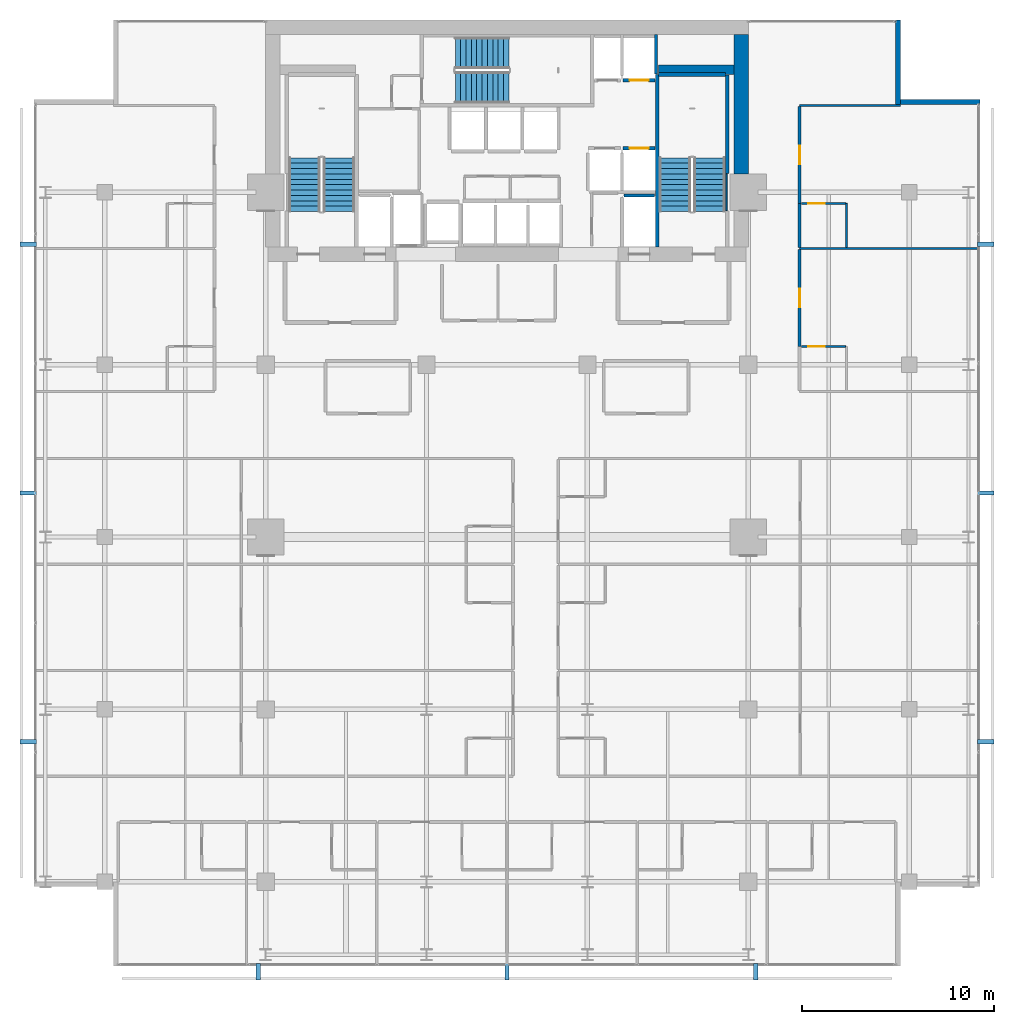
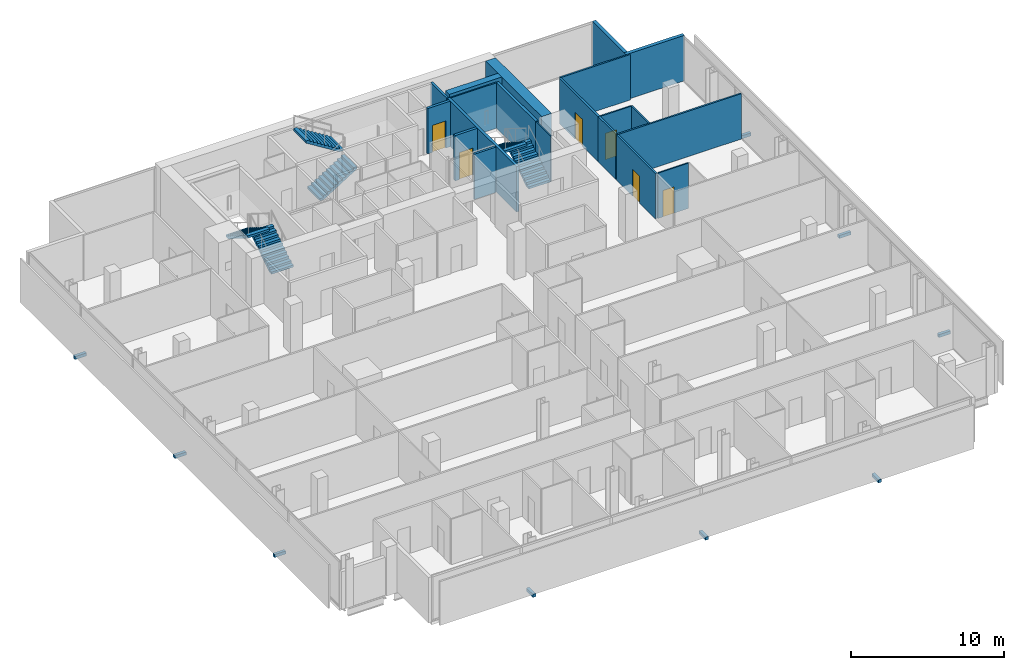
# One storey, part 31 of 33: 20 walls, 9 discrete accessories, 6 doors, 6 stair flights, 6 openings, 3 elements without a shape of their own.
"""IFC4 building model written with IfcOpenShell, lengths in metres."""

from ifc_helpers import new_model, si_unit, direction, frame, frame_2d, origin, origin_2d, place, context, subcontext, project, spatial, polyline, rectangle, outline, extrude, material, layer, layer_set, type_object, element, fill, aggregate, save


model = new_model("IFC4")

# Units and contexts
model_context = context("Model", 3, precision=1e-05, world=origin(), true_north=direction((0.0, 1.0)))
body_context = subcontext(model_context, "Body", "Model", "MODEL_VIEW")
ifc_project = project(units=[si_unit("LENGTHUNIT", "METRE"), si_unit("AREAUNIT", "SQUARE_METRE"), si_unit("VOLUMEUNIT", "CUBIC_METRE"), si_unit("PLANEANGLEUNIT", "RADIAN"), si_unit("MASSUNIT", "GRAM", prefix="KILO")], contexts=[model_context])

# Site, building, storey
site_placement = place(None, origin())
site = spatial("IfcSite", under=ifc_project, at=site_placement, CompositionType="ELEMENT")
building_placement = place(site_placement, origin())
building = spatial("IfcBuilding", under=site, at=building_placement, Name="Maruvema Waterfront Hotel and Observation Tower", CompositionType="ELEMENT")
storey_placement = place(building_placement, frame((0.0, 0.0, 158.199951171875)))
storey = spatial("IfcBuildingStorey", under=building, at=storey_placement, Name="L38", CompositionType="ELEMENT", Elevation=158.199951171875)

# Wall, opening, door
ifc_material_1 = material(Name="Twin-stud acoustic gypsum drywall", Category="gypsum")
ifc_layer_1 = layer(ifc_material_1, 0.14990234375, Name="Acoustic Corridor and Suite Demising Wall 150 mm")
ifc_layer_set_1 = layer_set([ifc_layer_1], Name="Twin-stud acoustic gypsum drywall")
wall_type_1 = type_object("IfcWallType", Name="Acoustic Corridor and Suite Demising Wall 150 mm", PredefinedType="PARTITIONING", material=ifc_layer_set_1)
wall_1_placement = place(storey_placement, frame((53.080078125, 36.949951171875, 0.0), z_axis=(0.0, 0.0, 1.0), x_axis=(0.0, 1.0, 0.0)))
wall_1 = element("IfcWall", 1, at=wall_1_placement, inside=storey, type_object=wall_type_1, Name="L38 Room L38-NE1 Corridor Wall 113", PredefinedType="PARTITIONING", context=body_context, shape_type="SweptSolid", body=[
    extrude(rectangle(XDim=5.058837890625, YDim=0.14990234375, at=frame_2d((2.529296875, 0.0))), origin(), (0.0, 0.0, 1.0), 3.610107421875),
])
opening_1_placement = place(wall_1_placement, frame((2.054443359375, 0.0, 0.0)))
opening_1 = element("IfcOpeningElement", 2, at=opening_1_placement, cuts=wall_1, Name="Opening DR-095", PredefinedType="OPENING", context=body_context, shape_type="SweptSolid", body=[
    extrude(rectangle(XDim=0.949951171875, YDim=2.14990234375, at=frame_2d((0.47509765625, 1.074951171875))), frame((0.0, 0.0849609375, 0.0), z_axis=(0.0, -1.0, 0.0), x_axis=(1.0, 0.0, 0.0)), (0.0, 0.0, 1.0), 0.169921875),
])
ifc_material_2 = material(Name="Acoustic solid-core hardwood timber leaf", Category="wood")
door_type_1 = type_object("IfcDoorType", Name="Guestroom Entrance Fire Door 950x2150 mm", OperationType="NOTDEFINED", PredefinedType="DOOR", material=ifc_material_2)
door_1_placement = place(opening_1_placement, frame((0.949951171875, 0.0, 0.0), z_axis=(0.0, 0.0, 1.0), x_axis=(-1.0, 0.0, 0.0)))
door_1 = element("IfcDoor", 3, at=door_1_placement, inside=storey, type_object=door_type_1, Name="L38 Room L38-NE1 Entrance Door", OperationType="SINGLE_SWING_RIGHT", OverallHeight=2.14990234375, OverallWidth=0.949951171875, PredefinedType="DOOR", context=body_context, shape_type="SweptSolid", body=[
    extrude(rectangle(XDim=0.949951171875, YDim=2.14990234375, at=frame_2d((0.47509765625, 1.074951171875))), frame((0.0, 0.02490234375, 0.0), z_axis=(0.0, -1.0, 0.0), x_axis=(1.0, 0.0, 0.0)), (0.0, 0.0, 1.0), 0.050048828125),
])
fill(opening_1, door_1)

# Wall
wall_2_placement = place(storey_placement, frame((53.080078125, 42.12890625, 0.0), z_axis=(0.0, 0.0, 1.0), x_axis=(0.0, 1.0, 0.0)))
element("IfcWall", 4, at=wall_2_placement, inside=storey, type_object=wall_type_1, Name="L38 Bath L38-NE2 Wall 122", PredefinedType="PARTITIONING", context=body_context, shape_type="SweptSolid", body=[
    extrude(rectangle(XDim=2.289794921875, YDim=0.14990234375, at=frame_2d((1.14501953125, 0.0))), origin(), (0.0, 0.0, 1.0), 3.610107421875),
])

# Wall, opening, door
wall_3_placement = place(storey_placement, frame((53.080078125, 44.418701171875, 0.0), z_axis=(0.0, 0.0, 1.0), x_axis=(0.0, 1.0, 0.0)))
wall_3 = element("IfcWall", 5, at=wall_3_placement, inside=storey, type_object=wall_type_1, Name="L38 Room L38-NE2 Corridor Wall 123", PredefinedType="PARTITIONING", context=body_context, shape_type="SweptSolid", body=[
    extrude(rectangle(XDim=5.058837890625, YDim=0.14990234375, at=frame_2d((2.529296875, 0.0))), origin(), (0.0, 0.0, 1.0), 3.610107421875),
])
opening_2_placement = place(wall_3_placement, frame((2.054443359375, 0.0, 0.0)))
opening_2 = element("IfcOpeningElement", 6, at=opening_2_placement, cuts=wall_3, Name="Opening DR-095", PredefinedType="OPENING", context=body_context, shape_type="SweptSolid", body=[
    extrude(rectangle(XDim=0.949951171875, YDim=2.14990234375, at=frame_2d((0.47509765625, 1.074951171875))), frame((0.0, 0.0849609375, 0.0), z_axis=(0.0, -1.0, 0.0), x_axis=(1.0, 0.0, 0.0)), (0.0, 0.0, 1.0), 0.169921875),
])
door_2_placement = place(opening_2_placement, frame((0.949951171875, 0.0, 0.0), z_axis=(0.0, 0.0, 1.0), x_axis=(-1.0, 0.0, 0.0)))
door_2 = element("IfcDoor", 7, at=door_2_placement, inside=storey, type_object=door_type_1, Name="L38 Room L38-NE2 Entrance Door", OperationType="SINGLE_SWING_RIGHT", OverallHeight=2.14990234375, OverallWidth=0.949951171875, PredefinedType="DOOR", context=body_context, shape_type="SweptSolid", body=[
    extrude(rectangle(XDim=0.949951171875, YDim=2.14990234375, at=frame_2d((0.47509765625, 1.074951171875))), frame((0.0, 0.02490234375, 0.0), z_axis=(0.0, -1.0, 0.0), x_axis=(1.0, 0.0, 0.0)), (0.0, 0.0, 1.0), 0.050048828125),
])
fill(opening_2, door_2)

# Walls
ifc_material_3 = material(Name="Precast concrete C45/55", Category="concrete")
ifc_layer_2 = layer(ifc_material_3, 0.199951171875, Name="Core Shaft and Stairwell Enclosure Wall 200 mm")
ifc_layer_set_2 = layer_set([ifc_layer_2], Name="Precast concrete C45/55")
wall_type_2 = type_object("IfcWallType", Name="Core Shaft and Stairwell Enclosure Wall 200 mm", PredefinedType="SOLIDWALL", material=ifc_layer_set_2)
wall_4_placement = place(storey_placement, frame((45.64990234375, 42.14990234375, 0.0), z_axis=(0.0, 0.0, 1.0), x_axis=(0.0, 1.0, 0.0)))
element("IfcWall", 8, at=wall_4_placement, inside=storey, type_object=wall_type_2, Name="L38 Stairwell ST-03 West Shaft Wall", PredefinedType="SOLIDWALL", context=body_context, shape_type="SweptSolid", body=[
    extrude(rectangle(XDim=9.0, YDim=0.199951171875, at=frame_2d((4.5, 0.0))), origin(), (0.0, 0.0, 1.0), 3.610107421875),
])
wall_5_placement = place(storey_placement, frame((49.300048828125, 45.97998046875, 0.0), z_axis=(0.0, 0.0, 1.0), x_axis=(0.0, 1.0, 0.0)))
element("IfcWall", 9, at=wall_5_placement, inside=storey, type_object=wall_type_2, Name="L38 Stairwell ST-03 Shaft Lining Wall", PredefinedType="SOLIDWALL", context=body_context, shape_type="SweptSolid", body=[
    extrude(rectangle(XDim=5.14013671875, YDim=0.199951171875, at=frame_2d((2.570068359375, 0.0))), origin(), (0.0, 0.0, 1.0), 3.610107421875),
])
wall_6_placement = place(storey_placement, frame((45.719970703125, 51.14990234375, 0.0), z_axis=(0.0, 0.0, 1.0), x_axis=(1.0, 0.0, 0.0)))
element("IfcWall", 10, at=wall_6_placement, inside=storey, type_object=wall_type_2, Name="L38 Stairwell ST-03 Shaft Lining Wall", PredefinedType="SOLIDWALL", context=body_context, shape_type="SweptSolid", body=[
    extrude(rectangle(XDim=3.5, YDim=0.199951171875, at=frame_2d((1.75, 0.0))), origin(), (0.0, 0.0, 1.0), 3.610107421875),
])

# Wall, opening, door
wall_7_placement = place(storey_placement, frame((43.860107421875, 47.300048828125, 0.0), z_axis=(0.0, 0.0, 1.0), x_axis=(1.0, 0.0, 0.0)))
wall_7 = element("IfcWall", 11, at=wall_7_placement, inside=storey, type_object=wall_type_2, Name="L38 Lift LF-06 Hoistway Front Wall", PredefinedType="SOLIDWALL", context=body_context, shape_type="SweptSolid", body=[
    extrude(rectangle(XDim=1.679931640625, YDim=0.199951171875, at=frame_2d((0.83984375, 0.0))), origin(), (0.0, 0.0, 1.0), 3.610107421875),
])
opening_3_placement = place(wall_7_placement, frame((0.340087890625, 0.0, 0.0)))
opening_3 = element("IfcOpeningElement", 12, at=opening_3_placement, cuts=wall_7, Name="Opening LD-01", PredefinedType="OPENING", context=body_context, shape_type="SweptSolid", body=[
    extrude(rectangle(XDim=1.0, YDim=2.14990234375, at=frame_2d((0.5, 1.074951171875))), frame((0.0, 0.10986328125, 0.0), z_axis=(0.0, -1.0, 0.0), x_axis=(1.0, 0.0, 0.0)), (0.0, 0.0, 1.0), 0.219970703125),
])
ifc_material_4 = material(Name="Brushed stainless steel Grade 316", Category="steel")
door_type_2 = type_object("IfcDoorType", Name="Passenger Lift Sliding Landing Door 1000x2150 mm", OperationType="SLIDING_TO_LEFT", PredefinedType="DOOR", material=ifc_material_4)
door_3_placement = place(opening_3_placement, origin())
door_3 = element("IfcDoor", 13, at=door_3_placement, inside=storey, type_object=door_type_2, Name="L38 Lift LF-06 Sliding Landing Door", OperationType="SLIDING_TO_LEFT", OverallHeight=2.14990234375, OverallWidth=1.0, PredefinedType="DOOR", context=body_context, shape_type="SweptSolid", body=[
    extrude(rectangle(XDim=1.0, YDim=2.14990234375, at=frame_2d((0.5, 1.074951171875))), frame((0.0, 0.02490234375, 0.0), z_axis=(0.0, -1.0, 0.0), x_axis=(1.0, 0.0, 0.0)), (0.0, 0.0, 1.0), 0.050048828125),
])
fill(opening_3, door_3)

wall_8_placement = place(storey_placement, frame((43.860107421875, 50.85009765625, 0.0), z_axis=(0.0, 0.0, 1.0), x_axis=(1.0, 0.0, 0.0)))
wall_8 = element("IfcWall", 14, at=wall_8_placement, inside=storey, type_object=wall_type_2, Name="L38 Lift LF-08 Hoistway Front Wall", PredefinedType="SOLIDWALL", context=body_context, shape_type="SweptSolid", body=[
    extrude(rectangle(XDim=1.679931640625, YDim=0.199951171875, at=frame_2d((0.83984375, 0.0))), origin(), (0.0, 0.0, 1.0), 3.610107421875),
])
opening_4_placement = place(wall_8_placement, frame((0.340087890625, 0.0, 0.0)))
opening_4 = element("IfcOpeningElement", 15, at=opening_4_placement, cuts=wall_8, Name="Opening LD-01", PredefinedType="OPENING", context=body_context, shape_type="SweptSolid", body=[
    extrude(rectangle(XDim=1.0, YDim=2.14990234375, at=frame_2d((0.5, 1.074951171875))), frame((0.0, 0.10986328125, 0.0), z_axis=(0.0, -1.0, 0.0), x_axis=(1.0, 0.0, 0.0)), (0.0, 0.0, 1.0), 0.219970703125),
])
door_4_placement = place(opening_4_placement, frame((1.0, 0.0, 0.0), z_axis=(0.0, 0.0, 1.0), x_axis=(-1.0, 0.0, 0.0)))
door_4 = element("IfcDoor", 16, at=door_4_placement, inside=storey, type_object=door_type_2, Name="L38 Lift LF-08 Sliding Landing Door", OperationType="SLIDING_TO_LEFT", OverallHeight=2.14990234375, OverallWidth=1.0, PredefinedType="DOOR", context=body_context, shape_type="SweptSolid", body=[
    extrude(rectangle(XDim=1.0, YDim=2.14990234375, at=frame_2d((0.5, 1.074951171875))), frame((0.0, 0.02490234375, 0.0), z_axis=(0.0, -1.0, 0.0), x_axis=(1.0, 0.0, 0.0)), (0.0, 0.0, 1.0), 0.050048828125),
])
fill(opening_4, door_4)

# Walls
ifc_material_5 = material(Name="Concrete C70/85", Category="concrete")
ifc_layer_3 = layer(ifc_material_5, 0.5, Name="Core Shear Wall 500 mm")
ifc_layer_set_3 = layer_set([ifc_layer_3], Name="Concrete C70/85")
wall_type_3 = type_object("IfcWallType", Name="Core Shear Wall 500 mm", PredefinedType="SHEAR", material=ifc_layer_set_3)
wall_9_placement = place(storey_placement, frame((45.699951171875, 51.39990234375, 0.0), z_axis=(0.0, 0.0, 1.0), x_axis=(1.0, 0.0, 0.0)))
element("IfcWall", 17, at=wall_9_placement, inside=storey, type_object=wall_type_3, Name="L38 Internal Core Shear Wall NE 500 mm", PredefinedType="SHEAR", context=body_context, shape_type="SweptSolid", body=[
    extrude(rectangle(XDim=3.949951171875, YDim=0.5, at=frame_2d((1.97509765625, 0.0))), origin(), (0.0, 0.0, 1.0), 3.85009765625),
])
ifc_material_6 = material(Name="Concrete C70/85", Category="concrete")
ifc_layer_4 = layer(ifc_material_6, 0.75, Name="Core Shear Wall 750 mm")
ifc_layer_set_4 = layer_set([ifc_layer_4], Name="Concrete C70/85")
wall_type_4 = type_object("IfcWallType", Name="Core Shear Wall 750 mm", PredefinedType="SHEAR", material=ifc_layer_set_4)
wall_10_placement = place(storey_placement, frame((50.02490234375, 45.949951171875, 0.0), z_axis=(0.0, 0.0, 1.0), x_axis=(0.0, 1.0, 0.0)))
element("IfcWall", 18, at=wall_10_placement, inside=storey, type_object=wall_type_4, Name="L38 East-North Core Shear Wall", PredefinedType="SHEAR", context=body_context, shape_type="SweptSolid", body=[
    extrude(rectangle(XDim=7.300048828125, YDim=0.75, at=frame_2d((3.64990234375, 0.0))), origin(), (0.0, 0.0, 1.0), 3.85009765625),
])

# Wall, opening, door
ifc_material_7 = material(Name="Moisture-resistant cement-board drywall", Category="gypsum")
ifc_layer_5 = layer(ifc_material_7, 0.10009765625, Name="En-Suite Moisture-Resistant Partition 100 mm")
ifc_layer_set_5 = layer_set([ifc_layer_5], Name="Moisture-resistant cement-board drywall")
wall_type_5 = type_object("IfcWallType", Name="En-Suite Moisture-Resistant Partition 100 mm", PredefinedType="PARTITIONING", material=ifc_layer_set_5)
wall_11_placement = place(storey_placement, frame((53.179931640625, 36.949951171875, 0.0), z_axis=(0.0, 0.0, 1.0), x_axis=(1.0, 0.0, 0.0)))
wall_11 = element("IfcWall", 19, at=wall_11_placement, inside=storey, type_object=wall_type_5, Name="L38 En-Suite L38-NE1 N 115", PredefinedType="PARTITIONING", context=body_context, shape_type="SweptSolid", body=[
    extrude(rectangle(XDim=2.300048828125, YDim=0.10009765625, at=frame_2d((1.14990234375, 0.0))), origin(), (0.0, 0.0, 1.0), 3.610107421875),
])
opening_5_placement = place(wall_11_placement, frame((0.35009765625, 0.0, 0.0)))
opening_5 = element("IfcOpeningElement", 20, at=opening_5_placement, cuts=wall_11, Name="Opening DR-085", PredefinedType="OPENING", context=body_context, shape_type="SweptSolid", body=[
    extrude(rectangle(XDim=0.85009765625, YDim=2.10009765625, at=frame_2d((0.425048828125, 1.050048828125))), frame((0.0, 0.06005859375, 0.0), z_axis=(0.0, -1.0, 0.0), x_axis=(1.0, 0.0, 0.0)), (0.0, 0.0, 1.0), 0.1201171875),
])
ifc_material_8 = material(Name="Moisture-resistant solid timber leaf", Category="wood")
door_type_3 = type_object("IfcDoorType", Name="En-Suite Bathroom Door 850x2100 mm", OperationType="NOTDEFINED", PredefinedType="DOOR", material=ifc_material_8)
door_5_placement = place(opening_5_placement, origin())
door_5 = element("IfcDoor", 21, at=door_5_placement, inside=storey, type_object=door_type_3, Name="L38 En-Suite L38-NE1 Door", OperationType="SINGLE_SWING_LEFT", OverallHeight=2.10009765625, OverallWidth=0.85009765625, PredefinedType="DOOR", context=body_context, shape_type="SweptSolid", body=[
    extrude(rectangle(XDim=0.85009765625, YDim=2.10009765625, at=frame_2d((0.425048828125, 1.050048828125))), frame((0.0, 0.02490234375, 0.0), z_axis=(0.0, -1.0, 0.0), x_axis=(1.0, 0.0, 0.0)), (0.0, 0.0, 1.0), 0.050048828125),
])
fill(opening_5, door_5)

# Wall
wall_12_placement = place(storey_placement, frame((55.530029296875, 42.12890625, 0.0), z_axis=(0.0, 0.0, 1.0), x_axis=(0.0, 1.0, 0.0)))
element("IfcWall", 22, at=wall_12_placement, inside=storey, type_object=wall_type_5, Name="L38 En-Suite L38-NE2 E 124", PredefinedType="PARTITIONING", context=body_context, shape_type="SweptSolid", body=[
    extrude(rectangle(XDim=2.289794921875, YDim=0.10009765625, at=frame_2d((1.14501953125, 0.0))), origin(), (0.0, 0.0, 1.0), 3.610107421875),
])

# Wall, opening, door
wall_13_placement = place(storey_placement, frame((53.179931640625, 44.418701171875, 0.0), z_axis=(0.0, 0.0, 1.0), x_axis=(1.0, 0.0, 0.0)))
wall_13 = element("IfcWall", 23, at=wall_13_placement, inside=storey, type_object=wall_type_5, Name="L38 En-Suite L38-NE2 N 125", PredefinedType="PARTITIONING", context=body_context, shape_type="SweptSolid", body=[
    extrude(rectangle(XDim=2.300048828125, YDim=0.10009765625, at=frame_2d((1.14990234375, 0.0))), origin(), (0.0, 0.0, 1.0), 3.610107421875),
])
opening_6_placement = place(wall_13_placement, frame((0.35009765625, 0.0, 0.0)))
opening_6 = element("IfcOpeningElement", 24, at=opening_6_placement, cuts=wall_13, Name="Opening DR-085", PredefinedType="OPENING", context=body_context, shape_type="SweptSolid", body=[
    extrude(rectangle(XDim=0.85009765625, YDim=2.10009765625, at=frame_2d((0.425048828125, 1.050048828125))), frame((0.0, 0.06005859375, 0.0), z_axis=(0.0, -1.0, 0.0), x_axis=(1.0, 0.0, 0.0)), (0.0, 0.0, 1.0), 0.1201171875),
])
door_6_placement = place(opening_6_placement, origin())
door_6 = element("IfcDoor", 25, at=door_6_placement, inside=storey, type_object=door_type_3, Name="L38 En-Suite L38-NE2 Door", OperationType="SINGLE_SWING_LEFT", OverallHeight=2.10009765625, OverallWidth=0.85009765625, PredefinedType="DOOR", context=body_context, shape_type="SweptSolid", body=[
    extrude(rectangle(XDim=0.85009765625, YDim=2.10009765625, at=frame_2d((0.425048828125, 1.050048828125))), frame((0.0, 0.02490234375, 0.0), z_axis=(0.0, -1.0, 0.0), x_axis=(1.0, 0.0, 0.0)), (0.0, 0.0, 1.0), 0.050048828125),
])
fill(opening_6, door_6)

# Walls
ifc_material_9 = material(Name="Precast concrete C45/55 with honed Pernambuco granite facing", Category="masonry")
ifc_layer_6 = layer(ifc_material_9, 0.260009765625, Name="Exterior Granite Clad Spandrel and Pier Wall 260 mm")
ifc_layer_set_6 = layer_set([ifc_layer_6], Name="Precast concrete C45/55 with honed Pernambuco granite facing")
wall_type_6 = type_object("IfcWallType", Name="Exterior Granite Clad Spandrel and Pier Wall 260 mm", PredefinedType="SOLIDWALL", material=ifc_layer_set_6)
for number, where, z_axis, x_axis, name in (
    (26, (58.22998046875, 54.0, 0.0), (0.0, 0.0, 1.0), (0.0, -1.0, 0.0), "L38 Corner Notch Granite Pier Wall NE1"),
    (27, (58.10009765625, 49.72998046875, 0.0), (0.0, 0.0, 1.0), (1.0, 0.0, 0.0), "L38 Corner Notch Granite Pier Wall NE2"),
):
    element("IfcWall", number, at=place(storey_placement, frame(where, z_axis=z_axis, x_axis=x_axis)), inside=storey, type_object=wall_type_6, Name=name, PredefinedType="SOLIDWALL", context=body_context, shape_type="SweptSolid", body=[
        extrude(rectangle(XDim=4.39990234375, YDim=0.260009765625, at=frame_2d((2.199951171875, 0.0))), origin(), (0.0, 0.0, 1.0), 3.610107421875),
    ])
ifc_material_10 = material(Name="Acoustic gypsum plasterboard drywall", Category="gypsum")
ifc_layer_7 = layer(ifc_material_10, 0.125, Name="Guestroom Acoustic Demising Wall 125 mm")
ifc_layer_set_7 = layer_set([ifc_layer_7], Name="Acoustic gypsum plasterboard drywall")
wall_type_7 = type_object("IfcWallType", Name="Guestroom Acoustic Demising Wall 125 mm", PredefinedType="PARTITIONING", material=ifc_layer_set_7)
wall_14_placement = place(storey_placement, frame((53.080078125, 49.53759765625, 0.0), z_axis=(0.0, 0.0, 1.0), x_axis=(1.0, 0.0, 0.0)))
element("IfcWall", 28, at=wall_14_placement, inside=storey, type_object=wall_type_7, Name="L38 Z2 NE Top End 107", PredefinedType="PARTITIONING", context=body_context, shape_type="SweptSolid", body=[
    extrude(rectangle(XDim=5.280029296875, YDim=0.125, at=frame_2d((2.64013671875, 0.0))), origin(), (0.0, 0.0, 1.0), 3.610107421875),
])
wall_15_placement = place(storey_placement, frame((53.080078125, 42.06884765625, 0.0), z_axis=(0.0, 0.0, 1.0), x_axis=(1.0, 0.0, 0.0)))
element("IfcWall", 29, at=wall_15_placement, inside=storey, type_object=wall_type_7, Name="L38 Z2 NE Demising 2 117", PredefinedType="PARTITIONING", context=body_context, shape_type="SweptSolid", body=[
    extrude(rectangle(XDim=9.31982421875, YDim=0.125, at=frame_2d((4.659912109375, 0.0))), origin(), (0.0, 0.0, 1.0), 3.610107421875),
])
ifc_material_11 = material(Name="Precast concrete C45/55", Category="concrete")
ifc_layer_8 = layer(ifc_material_11, 0.159912109375, Name="Lift Hoistway Divider Wall 160 mm")
ifc_layer_set_8 = layer_set([ifc_layer_8], Name="Precast concrete C45/55")
wall_type_8 = type_object("IfcWallType", Name="Lift Hoistway Divider Wall 160 mm", PredefinedType="SOLIDWALL", material=ifc_layer_set_8)
wall_16_placement = place(storey_placement, frame((43.89990234375, 44.830078125, 0.0), z_axis=(0.0, 0.0, 1.0), x_axis=(1.0, 0.0, 0.0)))
element("IfcWall", 30, at=wall_16_placement, inside=storey, type_object=wall_type_8, Name="L38 Lift FL-02 Rear Hoistway Wall", PredefinedType="SOLIDWALL", context=body_context, shape_type="SweptSolid", body=[
    extrude(rectangle(XDim=1.60009765625, YDim=0.159912109375, at=frame_2d((0.800048828125, 0.0))), origin(), (0.0, 0.0, 1.0), 3.610107421875),
])
wall_17_placement = place(storey_placement, frame((45.590087890625, 51.179931640625, 0.0), z_axis=(0.0, 0.0, 1.0), x_axis=(0.0, 1.0, 0.0)))
element("IfcWall", 31, at=wall_17_placement, inside=storey, type_object=wall_type_8, Name="L38 Hoistway Divider Wall", PredefinedType="SOLIDWALL", context=body_context, shape_type="SweptSolid", body=[
    extrude(rectangle(XDim=2.070068359375, YDim=0.159912109375, at=frame_2d((1.03515625, 0.0))), origin(), (0.0, 0.0, 1.0), 3.610107421875),
])
ifc_material_12 = material(Name="Precast concrete C45/55", Category="concrete")
ifc_layer_9 = layer(ifc_material_12, 0.10009765625, Name="Stairwell Stringer Cheek Wall 100 mm")
ifc_layer_set_9 = layer_set([ifc_layer_9], Name="Precast concrete C45/55")
wall_type_9 = type_object("IfcWallType", Name="Stairwell Stringer Cheek Wall 100 mm", PredefinedType="SOLIDWALL", material=ifc_layer_set_9)
wall_18_placement = place(storey_placement, frame((49.248046875, 44.0400390625, 0.0), z_axis=(0.0, 0.0, 1.0), x_axis=(0.0, 1.0, 0.0)))
element("IfcWall", 32, at=wall_18_placement, inside=storey, type_object=wall_type_9, Name="L38 Stairwell ST-03 Mega-Column Cheek Wall", PredefinedType="SOLIDWALL", context=body_context, shape_type="SweptSolid", body=[
    extrude(rectangle(XDim=1.919921875, YDim=0.10009765625, at=frame_2d((0.9599609375, 0.0))), origin(), (0.0, 0.0, 1.0), 3.610107421875),
])

# Stair, stair flights
ifc_material_13 = material(Name="Concrete C50/60", Category="concrete")
stair_type = type_object("IfcStairType", Name="Dogleg Exit Stair 1650 mm (22R x 175.0 mm)", PredefinedType="HALF_TURN_STAIR", material=ifc_material_13)
stair_1_placement = place(storey_placement, origin())
stair_1 = element("IfcStair", 33, at=stair_1_placement, inside=storey, type_object=stair_type, Name="L38 ST-01", PredefinedType="HALF_TURN_STAIR")
ifc_material_14 = material(Name="Concrete C50/60", Category="concrete")
stair_flight_type = type_object("IfcStairFlightType", Name="Reinforced Concrete Stair Flight 1650 mm (11R x 175.0 mm)", PredefinedType="STRAIGHT", material=ifc_material_14)
stair_flight_1_placement = place(storey_placement, frame((29.02490234375, 44.0, 0.0), z_axis=(0.0, 0.0, 1.0), x_axis=(0.0, 1.0, 0.0)))
stair_flight_1 = element("IfcStairFlight", 34, at=stair_flight_1_placement, type_object=stair_flight_type, Name="ST-01 flight 1", NumberOfRisers=11, NumberOfTreads=10, PredefinedType="STRAIGHT", RiserHeight=0.175, TreadLength=0.28, context=body_context, shape_type="SweptSolid", body=[
    extrude(outline(polyline([(0.0, 0.0), (0.0, 0.175048828125), (0.280029296875, 0.175048828125), (0.280029296875, 0.35009765625), (0.56005859375, 0.35009765625), (0.56005859375, 0.52490234375), (0.840087890625, 0.52490234375), (0.840087890625, 0.699951171875), (1.1201171875, 0.699951171875), (1.1201171875, 0.875), (1.39990234375, 0.875), (1.39990234375, 1.050048828125), (1.679931640625, 1.050048828125), (1.679931640625, 1.22509765625), (1.9599609375, 1.22509765625), (1.9599609375, 1.39990234375), (2.239990234375, 1.39990234375), (2.239990234375, 1.574951171875), (2.52001953125, 1.574951171875), (2.52001953125, 1.75), (2.800048828125, 1.75), (2.800048828125, 1.925048828125), (2.800048828125, 1.5732421875), (0.28271484375, 0.0), (0.0, 0.0)])), frame((0.0, 0.824951171875, 0.0), z_axis=(0.0, -1.0, 0.0), x_axis=(1.0, 0.0, 0.0)), (0.0, 0.0, 1.0), 1.64990234375),
])
stair_flight_2_placement = place(storey_placement, frame((27.22509765625, 46.800048828125, 1.925048828125), z_axis=(0.0, 0.0, 1.0), x_axis=(0.0, -1.0, 0.0)))
stair_flight_2 = element("IfcStairFlight", 35, at=stair_flight_2_placement, type_object=stair_flight_type, Name="ST-01 flight 2", NumberOfRisers=11, NumberOfTreads=10, PredefinedType="STRAIGHT", RiserHeight=0.175, TreadLength=0.28, context=body_context, shape_type="SweptSolid", body=[
    extrude(outline(polyline([(0.0, 0.0), (0.0, 0.175048828125), (0.280029296875, 0.175048828125), (0.280029296875, 0.35009765625), (0.56005859375, 0.35009765625), (0.56005859375, 0.52490234375), (0.840087890625, 0.52490234375), (0.840087890625, 0.699951171875), (1.1201171875, 0.699951171875), (1.1201171875, 0.875), (1.39990234375, 0.875), (1.39990234375, 1.050048828125), (1.679931640625, 1.050048828125), (1.679931640625, 1.22509765625), (1.9599609375, 1.22509765625), (1.9599609375, 1.39990234375), (2.239990234375, 1.39990234375), (2.239990234375, 1.574951171875), (2.52001953125, 1.574951171875), (2.52001953125, 1.75), (2.800048828125, 1.75), (2.800048828125, 1.925048828125), (2.800048828125, 1.5732421875), (0.28271484375, 0.0), (0.0, 0.0)])), frame((0.0, 0.824951171875, 0.0), z_axis=(0.0, -1.0, 0.0), x_axis=(1.0, 0.0, 0.0)), (0.0, 0.0, 1.0), 1.64990234375),
])
aggregate(stair_1, [stair_flight_1, stair_flight_2])

stair_2_placement = place(storey_placement, origin())
stair_2 = element("IfcStair", 36, at=stair_2_placement, inside=storey, type_object=stair_type, Name="L38 ST-02", PredefinedType="HALF_TURN_STAIR")
stair_flight_3_placement = place(storey_placement, frame((35.10009765625, 50.47509765625, 0.0), z_axis=(0.0, 0.0, 1.0), x_axis=(1.0, 0.0, 0.0)))
stair_flight_3 = element("IfcStairFlight", 37, at=stair_flight_3_placement, type_object=stair_flight_type, Name="ST-02 flight 1", NumberOfRisers=11, NumberOfTreads=10, PredefinedType="STRAIGHT", RiserHeight=0.175, TreadLength=0.28, context=body_context, shape_type="SweptSolid", body=[
    extrude(outline(polyline([(0.0, 0.0), (0.0, 0.175048828125), (0.280029296875, 0.175048828125), (0.280029296875, 0.35009765625), (0.56005859375, 0.35009765625), (0.56005859375, 0.52490234375), (0.840087890625, 0.52490234375), (0.840087890625, 0.699951171875), (1.1201171875, 0.699951171875), (1.1201171875, 0.875), (1.39990234375, 0.875), (1.39990234375, 1.050048828125), (1.679931640625, 1.050048828125), (1.679931640625, 1.22509765625), (1.9599609375, 1.22509765625), (1.9599609375, 1.39990234375), (2.239990234375, 1.39990234375), (2.239990234375, 1.574951171875), (2.52001953125, 1.574951171875), (2.52001953125, 1.75), (2.800048828125, 1.75), (2.800048828125, 1.925048828125), (2.800048828125, 1.5732421875), (0.28271484375, 0.0), (0.0, 0.0)])), frame((0.0, 0.824951171875, 0.0), z_axis=(0.0, -1.0, 0.0), x_axis=(1.0, 0.0, 0.0)), (0.0, 0.0, 1.0), 1.64990234375),
])
stair_flight_4_placement = place(storey_placement, frame((37.89990234375, 52.27490234375, 1.925048828125), z_axis=(0.0, 0.0, 1.0), x_axis=(-1.0, 0.0, 0.0)))
stair_flight_4 = element("IfcStairFlight", 38, at=stair_flight_4_placement, type_object=stair_flight_type, Name="ST-02 flight 2", NumberOfRisers=11, NumberOfTreads=10, PredefinedType="STRAIGHT", RiserHeight=0.175, TreadLength=0.28, context=body_context, shape_type="SweptSolid", body=[
    extrude(outline(polyline([(0.0, 0.0), (0.0, 0.175048828125), (0.280029296875, 0.175048828125), (0.280029296875, 0.35009765625), (0.56005859375, 0.35009765625), (0.56005859375, 0.52490234375), (0.840087890625, 0.52490234375), (0.840087890625, 0.699951171875), (1.1201171875, 0.699951171875), (1.1201171875, 0.875), (1.39990234375, 0.875), (1.39990234375, 1.050048828125), (1.679931640625, 1.050048828125), (1.679931640625, 1.22509765625), (1.9599609375, 1.22509765625), (1.9599609375, 1.39990234375), (2.239990234375, 1.39990234375), (2.239990234375, 1.574951171875), (2.52001953125, 1.574951171875), (2.52001953125, 1.75), (2.800048828125, 1.75), (2.800048828125, 1.925048828125), (2.800048828125, 1.5732421875), (0.28271484375, 0.0), (0.0, 0.0)])), frame((0.0, 0.824951171875, 0.0), z_axis=(0.0, -1.0, 0.0), x_axis=(1.0, 0.0, 0.0)), (0.0, 0.0, 1.0), 1.64990234375),
])
aggregate(stair_2, [stair_flight_3, stair_flight_4])

stair_3_placement = place(storey_placement, origin())
stair_3 = element("IfcStair", 39, at=stair_3_placement, inside=storey, type_object=stair_type, Name="L38 ST-03", PredefinedType="HALF_TURN_STAIR")
stair_flight_5_placement = place(storey_placement, frame((48.375, 44.0, 0.0), z_axis=(0.0, 0.0, 1.0), x_axis=(0.0, 1.0, 0.0)))
stair_flight_5 = element("IfcStairFlight", 40, at=stair_flight_5_placement, type_object=stair_flight_type, Name="ST-03 flight 1", NumberOfRisers=11, NumberOfTreads=10, PredefinedType="STRAIGHT", RiserHeight=0.175, TreadLength=0.28, context=body_context, shape_type="SweptSolid", body=[
    extrude(outline(polyline([(0.0, 0.0), (0.0, 0.175048828125), (0.280029296875, 0.175048828125), (0.280029296875, 0.35009765625), (0.56005859375, 0.35009765625), (0.56005859375, 0.52490234375), (0.840087890625, 0.52490234375), (0.840087890625, 0.699951171875), (1.1201171875, 0.699951171875), (1.1201171875, 0.875), (1.39990234375, 0.875), (1.39990234375, 1.050048828125), (1.679931640625, 1.050048828125), (1.679931640625, 1.22509765625), (1.9599609375, 1.22509765625), (1.9599609375, 1.39990234375), (2.239990234375, 1.39990234375), (2.239990234375, 1.574951171875), (2.52001953125, 1.574951171875), (2.52001953125, 1.75), (2.800048828125, 1.75), (2.800048828125, 1.925048828125), (2.800048828125, 1.5732421875), (0.28271484375, 0.0), (0.0, 0.0)])), frame((0.0, 0.824951171875, 0.0), z_axis=(0.0, -1.0, 0.0), x_axis=(1.0, 0.0, 0.0)), (0.0, 0.0, 1.0), 1.64990234375),
])
stair_flight_6_placement = place(storey_placement, frame((46.574951171875, 46.800048828125, 1.925048828125), z_axis=(0.0, 0.0, 1.0), x_axis=(0.0, -1.0, 0.0)))
stair_flight_6 = element("IfcStairFlight", 41, at=stair_flight_6_placement, type_object=stair_flight_type, Name="ST-03 flight 2", NumberOfRisers=11, NumberOfTreads=10, PredefinedType="STRAIGHT", RiserHeight=0.175, TreadLength=0.28, context=body_context, shape_type="SweptSolid", body=[
    extrude(outline(polyline([(0.0, 0.0), (0.0, 0.175048828125), (0.280029296875, 0.175048828125), (0.280029296875, 0.35009765625), (0.56005859375, 0.35009765625), (0.56005859375, 0.52490234375), (0.840087890625, 0.52490234375), (0.840087890625, 0.699951171875), (1.1201171875, 0.699951171875), (1.1201171875, 0.875), (1.39990234375, 0.875), (1.39990234375, 1.050048828125), (1.679931640625, 1.050048828125), (1.679931640625, 1.22509765625), (1.9599609375, 1.22509765625), (1.9599609375, 1.39990234375), (2.239990234375, 1.39990234375), (2.239990234375, 1.574951171875), (2.52001953125, 1.574951171875), (2.52001953125, 1.75), (2.800048828125, 1.75), (2.800048828125, 1.925048828125), (2.800048828125, 1.5732421875), (0.28271484375, 0.0), (0.0, 0.0)])), frame((0.0, 0.824951171875, 0.0), z_axis=(0.0, -1.0, 0.0), x_axis=(1.0, 0.0, 0.0)), (0.0, 0.0, 1.0), 1.64990234375),
])
aggregate(stair_3, [stair_flight_5, stair_flight_6])

# Discrete accessories
ifc_material_15 = material(Name="Duplex stainless steel Grade 2205", Category="steel")
discrete_accessory_type = type_object("IfcDiscreteAccessoryType", Name="Double-Skin Cavity Stainless Outrigger Bracket", PredefinedType="BRACKET", material=ifc_material_15)
for number, where, z_axis, x_axis, name in (
    (42, (24.80810546875, 4.300048828125, -0.14013671875), (0.0, 0.0, 1.0), (1.0, 0.0, 0.0), "L38 Outer Skin Support Bracket 1"),
    (43, (37.800048828125, 4.300048828125, -0.14013671875), (0.0, 0.0, 1.0), (1.0, 0.0, 0.0), "L38 Outer Skin Support Bracket 2"),
    (44, (50.7919921875, 4.300048828125, -0.14013671875), (0.0, 0.0, 1.0), (1.0, 0.0, 0.0), "L38 Outer Skin Support Bracket 3"),
    (45, (62.800048828125, 16.30810546875, -0.14013671875), (0.0, 0.0, 1.0), (0.0, 1.0, 0.0), "L38 Outer Skin Support Bracket 1"),
    (46, (62.800048828125, 29.300048828125, -0.14013671875), (0.0, 0.0, 1.0), (0.0, 1.0, 0.0), "L38 Outer Skin Support Bracket 2"),
    (47, (62.800048828125, 42.2919921875, -0.14013671875), (0.0, 0.0, 1.0), (0.0, 1.0, 0.0), "L38 Outer Skin Support Bracket 3"),
    (48, (12.800048828125, 42.2919921875, -0.14013671875), (0.0, 0.0, 1.0), (0.0, -1.0, 0.0), "L38 Outer Skin Support Bracket 1"),
    (49, (12.800048828125, 29.300048828125, -0.14013671875), (0.0, 0.0, 1.0), (0.0, -1.0, 0.0), "L38 Outer Skin Support Bracket 2"),
    (50, (12.800048828125, 16.30810546875, -0.14013671875), (0.0, 0.0, 1.0), (0.0, -1.0, 0.0), "L38 Outer Skin Support Bracket 3"),
):
    element("IfcDiscreteAccessory", number, at=place(storey_placement, frame(where, z_axis=z_axis, x_axis=x_axis)), inside=storey, type_object=discrete_accessory_type, Name=name, PredefinedType="BRACKET", context=body_context, shape_type="SweptSolid", body=[
        extrude(rectangle(XDim=0.219970703125, YDim=0.860107421875, at=origin_2d()), origin(), (0.0, 0.0, 1.0), 0.239990234375),
    ])

save(model, "model.ifc")
